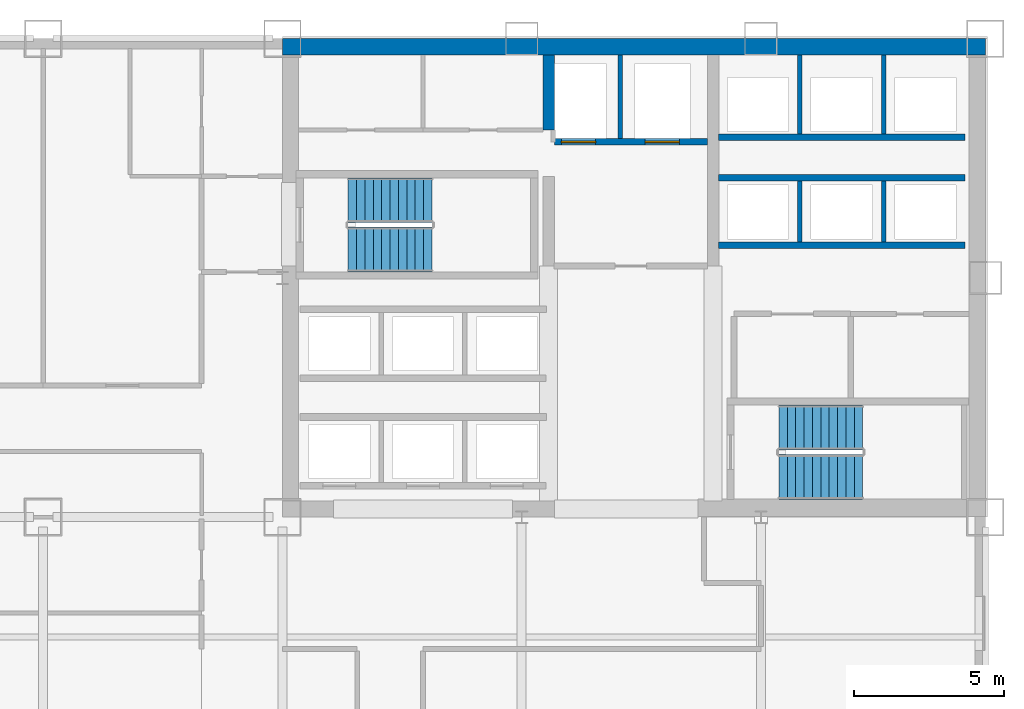
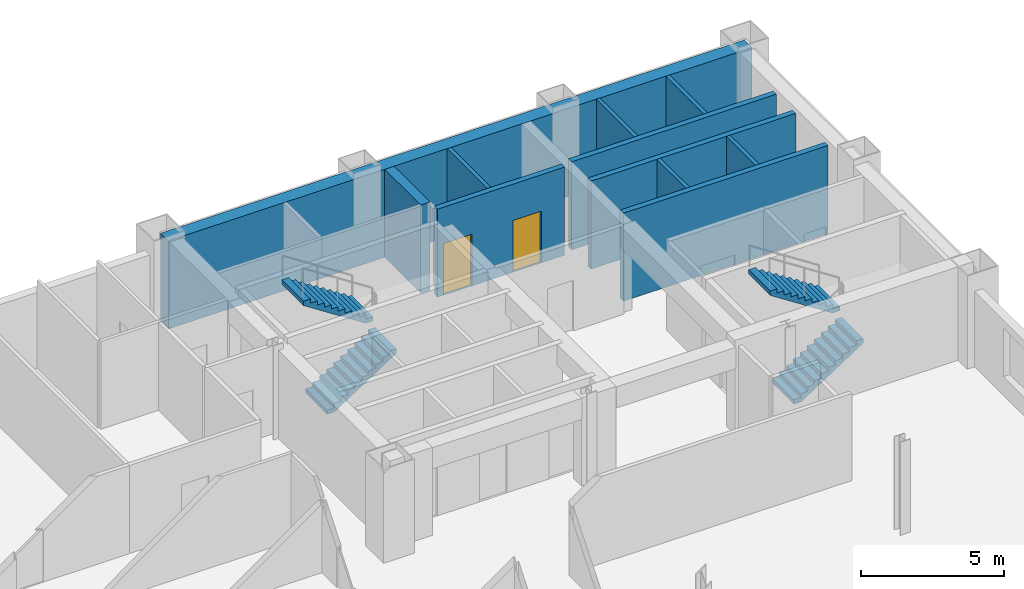
# One storey, part 7 of 9: 11 walls, 4 stair flights, 2 doors, 2 openings, 2 elements without a shape of their own.
"""IFC4 building model written with IfcOpenShell, lengths in metres."""

from ifc_helpers import new_model, si_unit, direction, frame, frame_2d, origin, place, context, subcontext, project, spatial, polyline, rectangle, outline, extrude, material, layer, layer_set, type_object, element, fill, aggregate, save


model = new_model("IFC4")

# Units and contexts
model_context = context("Model", 3, precision=1e-05, world=origin(), true_north=direction((0.0, 1.0)))
body_context = subcontext(model_context, "Body", "Model", "MODEL_VIEW")
ifc_project = project(units=[si_unit("LENGTHUNIT", "METRE"), si_unit("AREAUNIT", "SQUARE_METRE"), si_unit("VOLUMEUNIT", "CUBIC_METRE"), si_unit("PLANEANGLEUNIT", "RADIAN"), si_unit("MASSUNIT", "GRAM", prefix="KILO")], contexts=[model_context])

# Site, building, storey
site_placement = place(None, origin())
site = spatial("IfcSite", under=ifc_project, at=site_placement, CompositionType="ELEMENT")
building_placement = place(site_placement, origin())
building = spatial("IfcBuilding", under=site, at=building_placement, Name="Qianrong Seaharbour Tower", CompositionType="ELEMENT")
storey_placement = place(building_placement, frame((0.0, 0.0, 52.199951171875)))
storey = spatial("IfcBuildingStorey", under=building, at=storey_placement, Name="L12", CompositionType="ELEMENT", Elevation=52.199951171875)

# Walls
ifc_material_1 = material(Name="Concrete C70/85", Category="concrete")
ifc_layer_1 = layer(ifc_material_1, 0.5400390625)
ifc_layer_set_1 = layer_set([ifc_layer_1], Name="Concrete C70/85")
wall_type_1 = type_object("IfcWallType", Name="WALL-CORE-540", PredefinedType="SHEAR", material=ifc_layer_set_1)
wall_1_placement = place(storey_placement, frame((40.5, 51.72998046875, 0.0), z_axis=(0.0, 0.0, 1.0), x_axis=(1.0, 0.0, 0.0)))
element("IfcWall", 1, at=wall_1_placement, inside=storey, type_object=wall_type_1, Name="L12 North Core Shear Wall", PredefinedType="SHEAR", context=body_context, shape_type="SweptSolid", body=[
    extrude(rectangle(XDim=23.5, YDim=0.5400390625, at=frame_2d((11.75, 0.0))), origin(), (0.0, 0.0, 1.0), 3.75),
])
ifc_material_2 = material(Name="Concrete C60/75", Category="concrete")
ifc_layer_2 = layer(ifc_material_2, 0.3798828125)
ifc_layer_set_2 = layer_set([ifc_layer_2], Name="Concrete C60/75")
wall_type_2 = type_object("IfcWallType", Name="WALL-CORE-INT-380", PredefinedType="SHEAR", material=ifc_layer_set_2)
wall_2_placement = place(storey_placement, frame((49.39990234375, 48.949951171875, 0.0), z_axis=(0.0, 0.0, 1.0), x_axis=(0.0, 1.0, 0.0)))
element("IfcWall", 2, at=wall_2_placement, inside=storey, type_object=wall_type_2, Name="L12 Internal Core Shear Wall IW1N2", PredefinedType="SHEAR", context=body_context, shape_type="SweptSolid", body=[
    extrude(rectangle(XDim=2.510009765625, YDim=0.3798828125, at=frame_2d((1.2548828125, 0.0))), origin(), (0.0, 0.0, 1.0), 3.75),
])
ifc_material_3 = material(Name="Fire-rated gypsum board on steel studs", Category="steel")
ifc_layer_3 = layer(ifc_material_3, 0.14990234375)
ifc_layer_set_3 = layer_set([ifc_layer_3], Name="Fire-rated gypsum board on steel studs")
wall_type_3 = type_object("IfcWallType", Name="WALL-SHAFT-DIV-150", PredefinedType="PARTITIONING", material=ifc_layer_set_3)
wall_3_placement = place(storey_placement, frame((51.800048828125, 48.669921875, 0.0), z_axis=(0.0, 0.0, 1.0), x_axis=(0.0, 1.0, 0.0)))
element("IfcWall", 3, at=wall_3_placement, inside=storey, type_object=wall_type_3, Name="L12 Firefighting Lift Shaft Divider Wall", PredefinedType="PARTITIONING", context=body_context, shape_type="SweptSolid", body=[
    extrude(rectangle(XDim=2.7900390625, YDim=0.14990234375, at=frame_2d((1.39501953125, 0.0))), origin(), (0.0, 0.0, 1.0), 3.75),
])
for number, where, z_axis, x_axis, name in (
    (4, (57.800048828125, 45.2099609375, 0.0), (0.0, 0.0, 1.0), (0.0, 1.0, 0.0), "L12 P3 Lift Hoistway Divider 2"),
    (5, (60.60009765625, 45.2099609375, 0.0), (0.0, 0.0, 1.0), (0.0, 1.0, 0.0), "L12 P3 Lift Hoistway Divider 3"),
):
    element("IfcWall", number, at=place(storey_placement, frame(where, z_axis=z_axis, x_axis=x_axis)), inside=storey, type_object=wall_type_3, Name=name, PredefinedType="PARTITIONING", context=body_context, shape_type="SweptSolid", body=[
        extrude(rectangle(XDim=2.030029296875, YDim=0.14990234375, at=frame_2d((1.01513671875, 0.0))), origin(), (0.0, 0.0, 1.0), 3.75),
    ])
for number, where, z_axis, x_axis, name in (
    (6, (57.800048828125, 48.81005859375, 0.0), (0.0, 0.0, 1.0), (0.0, 1.0, 0.0), "L12 P4 Lift Hoistway Divider 2"),
    (7, (60.60009765625, 48.81005859375, 0.0), (0.0, 0.0, 1.0), (0.0, 1.0, 0.0), "L12 P4 Lift Hoistway Divider 3"),
):
    element("IfcWall", number, at=place(storey_placement, frame(where, z_axis=z_axis, x_axis=x_axis)), inside=storey, type_object=wall_type_3, Name=name, PredefinedType="PARTITIONING", context=body_context, shape_type="SweptSolid", body=[
        extrude(rectangle(XDim=2.64990234375, YDim=0.14990234375, at=frame_2d((1.324951171875, 0.0))), origin(), (0.0, 0.0, 1.0), 3.75),
    ])

# Wall, openings, doors
ifc_layer_4 = layer(ifc_material_3, 0.219970703125)
ifc_layer_set_4 = layer_set([ifc_layer_4], Name="Fire-rated gypsum board on steel studs")
wall_type_4 = type_object("IfcWallType", Name="WALL-SHAFT-GYP220", PredefinedType="PARTITIONING", material=ifc_layer_set_4)
wall_4_placement = place(storey_placement, frame((54.7099609375, 48.550048828125, 0.0), z_axis=(0.0, 0.0, 1.0), x_axis=(-1.0, 0.0, 0.0)))
wall_4 = element("IfcWall", 8, at=wall_4_placement, inside=storey, type_object=wall_type_4, Name="L12 Firefighting Lift Shaft Front Wall", PredefinedType="PARTITIONING", context=body_context, shape_type="SweptSolid", body=[
    extrude(rectangle(XDim=5.119873046875, YDim=0.219970703125, at=frame_2d((2.56005859375, 0.0))), origin(), (0.0, 0.0, 1.0), 3.75),
])
opening_1_placement = place(wall_4_placement, frame((3.735107421875, 0.0, 0.0)))
opening_1 = element("IfcOpeningElement", 9, at=opening_1_placement, cuts=wall_4, Name="Opening LD-01", PredefinedType="OPENING", context=body_context, shape_type="SweptSolid", body=[
    extrude(rectangle(XDim=1.14990234375, YDim=2.199951171875, at=frame_2d((0.574951171875, 1.10009765625))), frame((0.0, 0.1201171875, 0.0), z_axis=(0.0, -1.0, 0.0), x_axis=(1.0, 0.0, 0.0)), (0.0, 0.0, 1.0), 0.239990234375),
])
opening_2_placement = place(wall_4_placement, frame((0.93505859375, 0.0, 0.0)))
opening_2 = element("IfcOpeningElement", 10, at=opening_2_placement, cuts=wall_4, Name="Opening LD-01", PredefinedType="OPENING", context=body_context, shape_type="SweptSolid", body=[
    extrude(rectangle(XDim=1.14990234375, YDim=2.199951171875, at=frame_2d((0.574951171875, 1.10009765625))), frame((0.0, 0.1201171875, 0.0), z_axis=(0.0, -1.0, 0.0), x_axis=(1.0, 0.0, 0.0)), (0.0, 0.0, 1.0), 0.239990234375),
])
ifc_material_4 = material(Name="Stainless steel SUS316L bi-parting lift landing door", Category="steel")
door_type = type_object("IfcDoorType", Name="DOOR-LIFT-FF-1150x2200", OperationType="DOUBLE_DOOR_SLIDING", PredefinedType="DOOR", material=ifc_material_4)
door_1_placement = place(opening_1_placement, origin())
door_1 = element("IfcDoor", 11, at=door_1_placement, inside=storey, type_object=door_type, Name="L12 FL-1 Firefighting Lift Landing Door", OperationType="DOUBLE_DOOR_SLIDING", OverallHeight=2.199951171875, OverallWidth=1.14990234375, PredefinedType="DOOR", context=body_context, shape_type="SweptSolid", body=[
    extrude(rectangle(XDim=1.14990234375, YDim=2.199951171875, at=frame_2d((0.574951171875, 1.10009765625))), frame((0.0, 0.02490234375, 0.0), z_axis=(0.0, -1.0, 0.0), x_axis=(1.0, 0.0, 0.0)), (0.0, 0.0, 1.0), 0.050048828125),
])
fill(opening_1, door_1)
door_2_placement = place(opening_2_placement, origin())
door_2 = element("IfcDoor", 12, at=door_2_placement, inside=storey, type_object=door_type, Name="L12 FL-2 Firefighting Lift Landing Door", OperationType="DOUBLE_DOOR_SLIDING", OverallHeight=2.199951171875, OverallWidth=1.14990234375, PredefinedType="DOOR", context=body_context, shape_type="SweptSolid", body=[
    extrude(rectangle(XDim=1.14990234375, YDim=2.199951171875, at=frame_2d((0.574951171875, 1.10009765625))), frame((0.0, 0.02490234375, 0.0), z_axis=(0.0, -1.0, 0.0), x_axis=(1.0, 0.0, 0.0)), (0.0, 0.0, 1.0), 0.050048828125),
])
fill(opening_2, door_2)

# Walls
for number, where, z_axis, x_axis, name in (
    (13, (63.320068359375, 45.10009765625, 0.0), (0.0, 0.0, 1.0), (-1.0, 0.0, 0.0), "L12 P3 Lift Hoistway Front Wall"),
    (14, (55.080078125, 47.35009765625, 0.0), (0.0, 0.0, 1.0), (1.0, 0.0, 0.0), "L12 P3 Lift Hoistway Back Wall"),
    (15, (63.320068359375, 48.699951171875, 0.0), (0.0, 0.0, 1.0), (-1.0, 0.0, 0.0), "L12 P4 Lift Hoistway Front Wall"),
):
    element("IfcWall", number, at=place(storey_placement, frame(where, z_axis=z_axis, x_axis=x_axis)), inside=storey, type_object=wall_type_4, Name=name, PredefinedType="PARTITIONING", context=body_context, shape_type="SweptSolid", body=[
        extrude(rectangle(XDim=8.239990234375, YDim=0.219970703125, at=frame_2d((4.1201171875, 0.0))), origin(), (0.0, 0.0, 1.0), 3.75),
    ])

# Stair, stair flights
ifc_material_5 = material(Name="Concrete C50/60", Category="concrete")
stair_type = type_object("IfcStairType", Name="STAIR-DOGLEG-1500-R22", PredefinedType="HALF_TURN_STAIR", material=ifc_material_5)
stair_1_placement = place(storey_placement, origin())
stair_1 = element("IfcStair", 16, at=stair_1_placement, inside=storey, type_object=stair_type, Name="L12 Protected Escape Stair ST-1", PredefinedType="HALF_TURN_STAIR")
stair_flight_type = type_object("IfcStairFlightType", Name="FLIGHT-STR-1500-R22", PredefinedType="STRAIGHT", material=ifc_material_5)
stair_flight_1_placement = place(storey_placement, frame((42.699951171875, 44.949951171875, 0.0), z_axis=(0.0, 0.0, 1.0), x_axis=(1.0, 0.0, 0.0)))
stair_flight_1 = element("IfcStairFlight", 17, at=stair_flight_1_placement, type_object=stair_flight_type, Name="ST-1 flight 1", NumberOfRisers=11, NumberOfTreads=10, PredefinedType="STRAIGHT", RiserHeight=0.181818182, TreadLength=0.28, context=body_context, shape_type="SweptSolid", body=[
    extrude(outline(polyline([(0.0, 0.0), (0.0, 0.181884765625), (0.280029296875, 0.181884765625), (0.280029296875, 0.363525390625), (0.56005859375, 0.363525390625), (0.56005859375, 0.54541015625), (0.840087890625, 0.54541015625), (0.840087890625, 0.727294921875), (1.1201171875, 0.727294921875), (1.1201171875, 0.9091796875), (1.39990234375, 0.9091796875), (1.39990234375, 1.0908203125), (1.679931640625, 1.0908203125), (1.679931640625, 1.272705078125), (1.9599609375, 1.272705078125), (1.9599609375, 1.45458984375), (2.239990234375, 1.45458984375), (2.239990234375, 1.636474609375), (2.52001953125, 1.636474609375), (2.52001953125, 1.818115234375), (2.800048828125, 1.818115234375), (2.800048828125, 2.0), (2.800048828125, 1.62744140625), (0.293701171875, 0.0), (0.0, 0.0)])), frame((0.0, 0.75, 0.0), z_axis=(0.0, -1.0, 0.0), x_axis=(1.0, 0.0, 0.0)), (0.0, 0.0, 1.0), 1.5),
])
stair_flight_2_placement = place(storey_placement, frame((45.5, 46.60009765625, 2.0), z_axis=(0.0, 0.0, 1.0), x_axis=(-1.0, 0.0, 0.0)))
stair_flight_2 = element("IfcStairFlight", 18, at=stair_flight_2_placement, type_object=stair_flight_type, Name="ST-1 flight 2", NumberOfRisers=11, NumberOfTreads=10, PredefinedType="STRAIGHT", RiserHeight=0.181818182, TreadLength=0.28, context=body_context, shape_type="SweptSolid", body=[
    extrude(outline(polyline([(0.0, 0.0), (0.0, 0.181884765625), (0.280029296875, 0.181884765625), (0.280029296875, 0.363525390625), (0.56005859375, 0.363525390625), (0.56005859375, 0.54541015625), (0.840087890625, 0.54541015625), (0.840087890625, 0.727294921875), (1.1201171875, 0.727294921875), (1.1201171875, 0.9091796875), (1.39990234375, 0.9091796875), (1.39990234375, 1.0908203125), (1.679931640625, 1.0908203125), (1.679931640625, 1.272705078125), (1.9599609375, 1.272705078125), (1.9599609375, 1.45458984375), (2.239990234375, 1.45458984375), (2.239990234375, 1.636474609375), (2.52001953125, 1.636474609375), (2.52001953125, 1.818115234375), (2.800048828125, 1.818115234375), (2.800048828125, 2.0), (2.800048828125, 1.62744140625), (0.293701171875, 0.0), (0.0, 0.0)])), frame((0.0, 0.75, 0.0), z_axis=(0.0, -1.0, 0.0), x_axis=(1.0, 0.0, 0.0)), (0.0, 0.0, 1.0), 1.5),
])
aggregate(stair_1, [stair_flight_1, stair_flight_2])

stair_2_placement = place(storey_placement, origin())
stair_2 = element("IfcStair", 19, at=stair_2_placement, inside=storey, type_object=stair_type, Name="L12 Protected Escape Stair ST-2", PredefinedType="HALF_TURN_STAIR")
stair_flight_3_placement = place(storey_placement, frame((57.10009765625, 37.35009765625, 0.0), z_axis=(0.0, 0.0, 1.0), x_axis=(1.0, 0.0, 0.0)))
stair_flight_3 = element("IfcStairFlight", 20, at=stair_flight_3_placement, type_object=stair_flight_type, Name="ST-2 flight 1", NumberOfRisers=11, NumberOfTreads=10, PredefinedType="STRAIGHT", RiserHeight=0.181818182, TreadLength=0.28, context=body_context, shape_type="SweptSolid", body=[
    extrude(outline(polyline([(0.0, 0.0), (0.0, 0.181884765625), (0.280029296875, 0.181884765625), (0.280029296875, 0.363525390625), (0.56005859375, 0.363525390625), (0.56005859375, 0.54541015625), (0.840087890625, 0.54541015625), (0.840087890625, 0.727294921875), (1.1201171875, 0.727294921875), (1.1201171875, 0.9091796875), (1.39990234375, 0.9091796875), (1.39990234375, 1.0908203125), (1.679931640625, 1.0908203125), (1.679931640625, 1.272705078125), (1.9599609375, 1.272705078125), (1.9599609375, 1.45458984375), (2.239990234375, 1.45458984375), (2.239990234375, 1.636474609375), (2.52001953125, 1.636474609375), (2.52001953125, 1.818115234375), (2.800048828125, 1.818115234375), (2.800048828125, 2.0), (2.800048828125, 1.62744140625), (0.293701171875, 0.0), (0.0, 0.0)])), frame((0.0, 0.75, 0.0), z_axis=(0.0, -1.0, 0.0), x_axis=(1.0, 0.0, 0.0)), (0.0, 0.0, 1.0), 1.5),
])
stair_flight_4_placement = place(storey_placement, frame((59.89990234375, 39.0, 2.0), z_axis=(0.0, 0.0, 1.0), x_axis=(-1.0, 0.0, 0.0)))
stair_flight_4 = element("IfcStairFlight", 21, at=stair_flight_4_placement, type_object=stair_flight_type, Name="ST-2 flight 2", NumberOfRisers=11, NumberOfTreads=10, PredefinedType="STRAIGHT", RiserHeight=0.181818182, TreadLength=0.28, context=body_context, shape_type="SweptSolid", body=[
    extrude(outline(polyline([(0.0, 0.0), (0.0, 0.181884765625), (0.280029296875, 0.181884765625), (0.280029296875, 0.363525390625), (0.56005859375, 0.363525390625), (0.56005859375, 0.54541015625), (0.840087890625, 0.54541015625), (0.840087890625, 0.727294921875), (1.1201171875, 0.727294921875), (1.1201171875, 0.9091796875), (1.39990234375, 0.9091796875), (1.39990234375, 1.0908203125), (1.679931640625, 1.0908203125), (1.679931640625, 1.272705078125), (1.9599609375, 1.272705078125), (1.9599609375, 1.45458984375), (2.239990234375, 1.45458984375), (2.239990234375, 1.636474609375), (2.52001953125, 1.636474609375), (2.52001953125, 1.818115234375), (2.800048828125, 1.818115234375), (2.800048828125, 2.0), (2.800048828125, 1.62744140625), (0.293701171875, 0.0), (0.0, 0.0)])), frame((0.0, 0.75, 0.0), z_axis=(0.0, -1.0, 0.0), x_axis=(1.0, 0.0, 0.0)), (0.0, 0.0, 1.0), 1.5),
])
aggregate(stair_2, [stair_flight_3, stair_flight_4])

save(model, "model.ifc")
